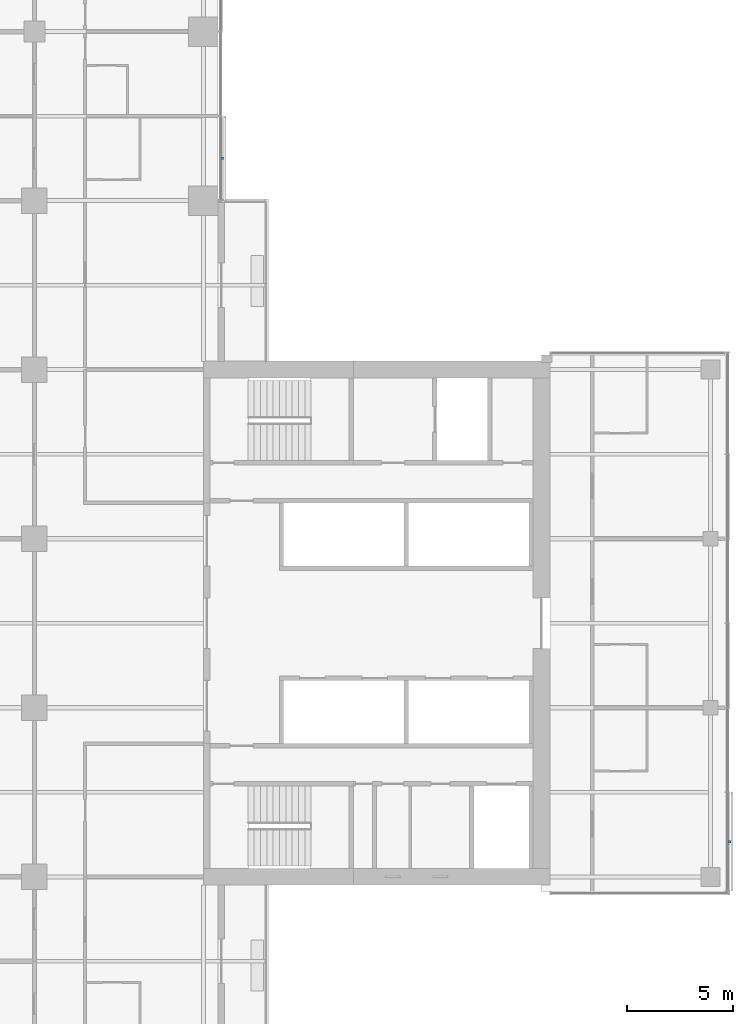
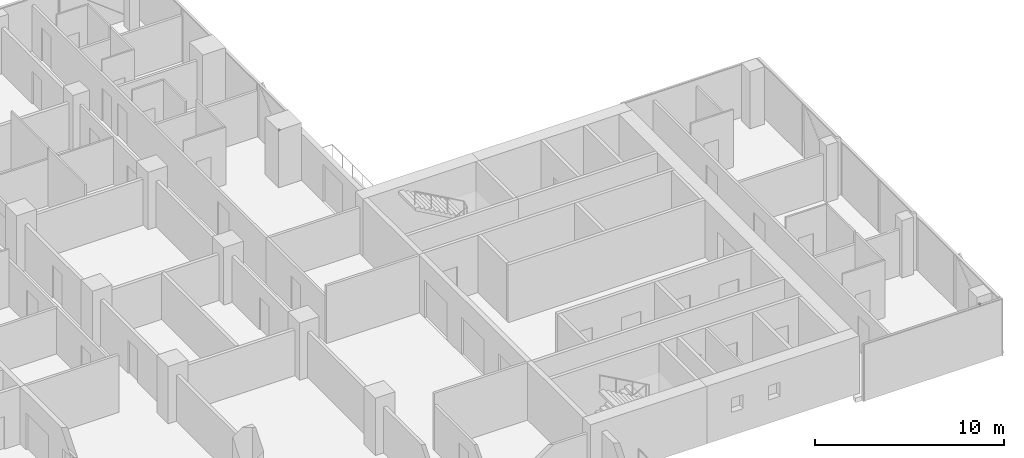
# One storey, part 25 of 27: 2 discrete accessories.
"""IFC4 building model written with IfcOpenShell, lengths in metres."""

import ifcopenshell
import ifcopenshell.guid

model = None  # the IFC model being written
_history = None  # IfcOwnerHistory: only IFC2X3 demands one
_inside = {}  # id of a spatial element -> (the spatial element, [elements in it])
_under = {}  # id of a project, library or spatial element -> (it, [spatial elements below it])
_declared = {}  # id of a project -> (the project, [libraries it declares])
_typed = {}  # id of a type object -> (the type object, [elements of that type])
_made_of = {}  # id of a material, layer set ... -> (it, [elements and type objects made of it])


def new_model(schema):
    """Start an empty IFC model of exactly this schema.

    Asked for "IFC4X3", IfcOpenShell would pick the latest addendum, in which some entities
    have other attributes; the version numbers below select the first issue.
    IFC2X3 requires an IfcOwnerHistory on every rooted entity: one is made here for all.
    """
    global model, _history
    if schema == "IFC4X3":
        model = ifcopenshell.file(schema_version=(4, 3, 0, 0))
    else:
        model = ifcopenshell.file(schema=schema)
    _inside.clear()
    _under.clear()
    _declared.clear()
    _typed.clear()
    _made_of.clear()
    _history = None
    if model.schema == "IFC2X3":
        org = make("IfcOrganization", Name="unknown")
        user = make(
            "IfcPersonAndOrganization",
            ThePerson=make("IfcPerson", FamilyName="unknown"),
            TheOrganization=org,
        )
        app = make(
            "IfcApplication",
            ApplicationDeveloper=org,
            Version="unknown",
            ApplicationFullName="unknown",
            ApplicationIdentifier="unknown",
        )
        _history = make(
            "IfcOwnerHistory",
            OwningUser=user,
            OwningApplication=app,
            ChangeAction="ADDED",
            CreationDate=0,
        )
    return model


def make(cls, **values):
    """One entity of the class cls with the attributes given. An attribute that is None is left unset."""
    return model.create_entity(
        cls, **{name: value for name, value in values.items() if value is not None}
    )


def rooted(cls, **values):
    """An entity with a GlobalId (a new one), such as an element, a storey or a relation."""
    return make(cls, GlobalId=ifcopenshell.guid.new(), OwnerHistory=_history, **values)


def si_unit(unit_type, name, prefix=None):
    """IfcSIUnit, for example si_unit("LENGTHUNIT", "METRE", prefix="MILLI")."""
    return make("IfcSIUnit", UnitType=unit_type, Prefix=prefix, Name=name)


def assignment(units):
    """IfcUnitAssignment: the units of a project."""
    return None if units is None else make("IfcUnitAssignment", Units=units)


def point(xyz):
    """IfcCartesianPoint."""
    return None if xyz is None else make("IfcCartesianPoint", Coordinates=xyz)


def direction(xyz):
    """IfcDirection."""
    return None if xyz is None else make("IfcDirection", DirectionRatios=xyz)


def frame(location, z_axis=None, x_axis=None):
    """IfcAxis2Placement3D, a coordinate frame: its origin and axes. An axis left out is left unset."""
    return make(
        "IfcAxis2Placement3D",
        Location=point(location),
        Axis=direction(z_axis),
        RefDirection=direction(x_axis),
    )


def frame_2d(location, x_axis=None):
    """IfcAxis2Placement2D, a coordinate frame in the plane: its origin and x axis."""
    return make(
        "IfcAxis2Placement2D", Location=point(location), RefDirection=direction(x_axis)
    )


def origin():
    """The frame at (0, 0, 0) with its axes left unset."""
    return frame((0.0, 0.0, 0.0))


def origin_2d():
    """The frame at (0, 0) in the plane with its x axis left unset."""
    return frame_2d((0.0, 0.0))


def place(relative_to, where):
    """IfcLocalPlacement: puts the frame where relative to a parent placement (None: the world)."""
    return make(
        "IfcLocalPlacement", PlacementRelTo=relative_to, RelativePlacement=where
    )


def context(
    kind, dimensions, precision=None, world=None, true_north=None, identifier=None
):
    """IfcGeometricRepresentationContext, for example the 3D "Model" context."""
    return make(
        "IfcGeometricRepresentationContext",
        ContextIdentifier=identifier,
        ContextType=kind,
        CoordinateSpaceDimension=dimensions,
        Precision=precision,
        WorldCoordinateSystem=world,
        TrueNorth=true_north,
    )


def subcontext(parent, identifier, kind, view, scale=None):
    """IfcGeometricRepresentationSubContext, for example "Body" below "Model"."""
    return make(
        "IfcGeometricRepresentationSubContext",
        ContextIdentifier=identifier,
        ContextType=kind,
        ParentContext=parent,
        TargetScale=scale,
        TargetView=view,
    )


def project(units=None, contexts=None):
    """IfcProject with its units and contexts."""
    return rooted(
        "IfcProject",
        Name="project",
        RepresentationContexts=contexts,
        UnitsInContext=assignment(units),
    )


def spatial(cls, under=None, at=None, **own):
    """A site, building, storey or space (cls), placed at a placement, below another one or the project."""
    s = rooted(cls, ObjectPlacement=at, **own)
    if under is not None:
        _under.setdefault(under.id(), (under, []))[1].append(s)
    return s


def profile(cls, at=None, kind="AREA", **sizes):
    """A parametric profile (cls). Its sizes go by their IFC names, for example OverallWidth=200.0."""
    return make(cls, ProfileType=kind, Position=at, **sizes)


def rectangle(**sizes):
    """IfcRectangleProfileDef."""
    return profile("IfcRectangleProfileDef", **sizes)


def extrude(swept, where, along, depth):
    """IfcExtrudedAreaSolid: the profile swept, set in the frame where, extruded along a direction by depth."""
    return make(
        "IfcExtrudedAreaSolid",
        SweptArea=swept,
        Position=where,
        ExtrudedDirection=direction(along),
        Depth=depth,
    )


def shape(context_of_items, identifier, shape_type, items):
    """IfcShapeRepresentation: the items that make up one representation, for example the "Body"."""
    return make(
        "IfcShapeRepresentation",
        ContextOfItems=context_of_items,
        RepresentationIdentifier=identifier,
        RepresentationType=shape_type,
        Items=items,
    )


def material(Name=None, Category=None):
    """IfcMaterial."""
    return make("IfcMaterial", Name=Name, Category=Category)


def made_of(thing, what):
    """Note that an element or type object is made of a material, layer set ...; save() writes the relation."""
    if what is not None:
        _made_of.setdefault(what.id(), (what, []))[1].append(thing)
    return thing


def type_object(cls, material=None, **own):
    """A type object (cls), such as IfcWallType, which elements share."""
    return made_of(rooted(cls, **own), material)


def element(
    cls,
    number,
    at=None,
    inside=None,
    cuts=None,
    type_object=None,
    material=None,
    context=None,
    identifier="Body",
    shape_type=None,
    held_by="IfcProductDefinitionShape",
    body=None,
    shapes=None,
    **own,
):
    """One element of the class cls, such as IfcWall. Its Tag is "e" and its number.

    at: its placement. inside: the storey or other place that contains it. cuts: it is an
    opening in that element (IfcRelVoidsElement). A single representation is given by context,
    identifier, shape_type and body (its items); several are given by shapes. held_by: the class
    of the entity that holds the representations. save() writes the other relations.
    """
    e = rooted(cls, Tag="e%d" % number, ObjectPlacement=at, **own)
    if body is not None:
        shapes = [shape(context, identifier, shape_type, body)]
    if shapes is not None:
        e.Representation = make(held_by, Representations=shapes)
    if inside is not None:
        _inside.setdefault(inside.id(), (inside, []))[1].append(e)
    if cuts is not None:
        rooted(
            "IfcRelVoidsElement", RelatingBuildingElement=cuts, RelatedOpeningElement=e
        )
    if type_object is not None:
        _typed.setdefault(type_object.id(), (type_object, []))[1].append(e)
    return made_of(e, material)


def aggregate(whole, parts):
    """IfcRelAggregates: a whole, such as a stair, and the parts it consists of."""
    return rooted("IfcRelAggregates", RelatingObject=whole, RelatedObjects=parts)


def save(model, path):
    """Write the relations noted so far, then the file.

    IfcRelAggregates (storeys below a building ...), IfcRelContainedInSpatialStructure (elements
    in a storey), IfcRelDefinesByType, IfcRelAssociatesMaterial and IfcRelDeclares: one each for
    every whole, place, type object, material and project.
    """
    for whole, parts in _under.values():
        aggregate(whole, parts)
    for where, things in _inside.values():
        rooted(
            "IfcRelContainedInSpatialStructure",
            RelatedElements=things,
            RelatingStructure=where,
        )
    for kind, things in _typed.values():
        rooted("IfcRelDefinesByType", RelatedObjects=things, RelatingType=kind)
    for what, things in _made_of.values():
        rooted("IfcRelAssociatesMaterial", RelatedObjects=things, RelatingMaterial=what)
    for by, libraries in _declared.values():
        rooted("IfcRelDeclares", RelatingContext=by, RelatedDefinitions=libraries)
    model.write(path)


model = new_model("IFC4")

# Units and contexts
model_context = context("Model", 3, precision=1e-05, world=origin(), true_north=direction((0.0, 1.0)))
body_context = subcontext(model_context, "Body", "Model", "MODEL_VIEW")
ifc_project = project(units=[si_unit("LENGTHUNIT", "METRE"), si_unit("AREAUNIT", "SQUARE_METRE"), si_unit("VOLUMEUNIT", "CUBIC_METRE"), si_unit("PLANEANGLEUNIT", "RADIAN"), si_unit("MASSUNIT", "GRAM", prefix="KILO")], contexts=[model_context])

# Site, building, storey
site_placement = place(None, origin())
site = spatial("IfcSite", under=ifc_project, at=site_placement, CompositionType="ELEMENT")
building_placement = place(site_placement, origin())
building = spatial("IfcBuilding", under=site, at=building_placement, Name="Crosswind Convention Tower", CompositionType="ELEMENT")
storey_placement = place(building_placement, frame((0.0, 0.0, 75.699951171875)))
storey = spatial("IfcBuildingStorey", under=building, at=storey_placement, Name="L13", CompositionType="ELEMENT", Elevation=75.699951171875)

# Discrete accessories
ifc_material = material(Name="Stainless steel", Category="steel")
discrete_accessory_type = type_object("IfcDiscreteAccessoryType", Name="BAGUETTE BRACKET BK2", PredefinedType="BRACKET", material=ifc_material)
for number, where, z_axis, x_axis, name in (
    (1, (161.907958984375, 89.666259765625, 1.4775390625), (0.0, 0.0, 1.0), (0.0, 1.0, 0.0), "BK2 baguette bracket"),
    (2, (137.907958984375, 122.0, 1.4775390625), (0.0, 0.0, 1.0), (0.0, 1.0, 0.0), "BK2 baguette bracket"),
):
    element("IfcDiscreteAccessory", number, at=place(storey_placement, frame(where, z_axis=z_axis, x_axis=x_axis)), inside=storey, type_object=discrete_accessory_type, Name=name, PredefinedType="BRACKET", context=body_context, shape_type="SweptSolid", body=[
        extrude(rectangle(XDim=0.1201171875, YDim=0.10009765625, at=origin_2d()), origin(), (0.0, 0.0, 1.0), 0.1201171875),
    ])

save(model, "model.ifc")
